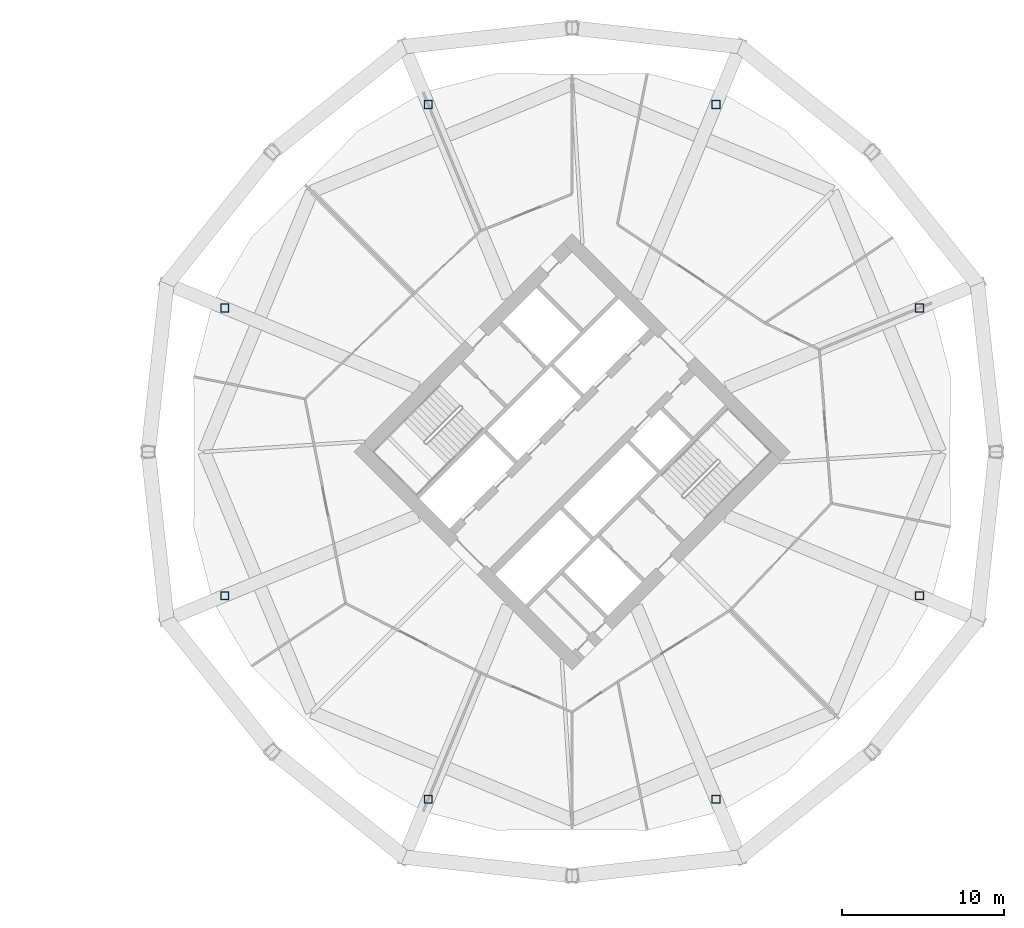
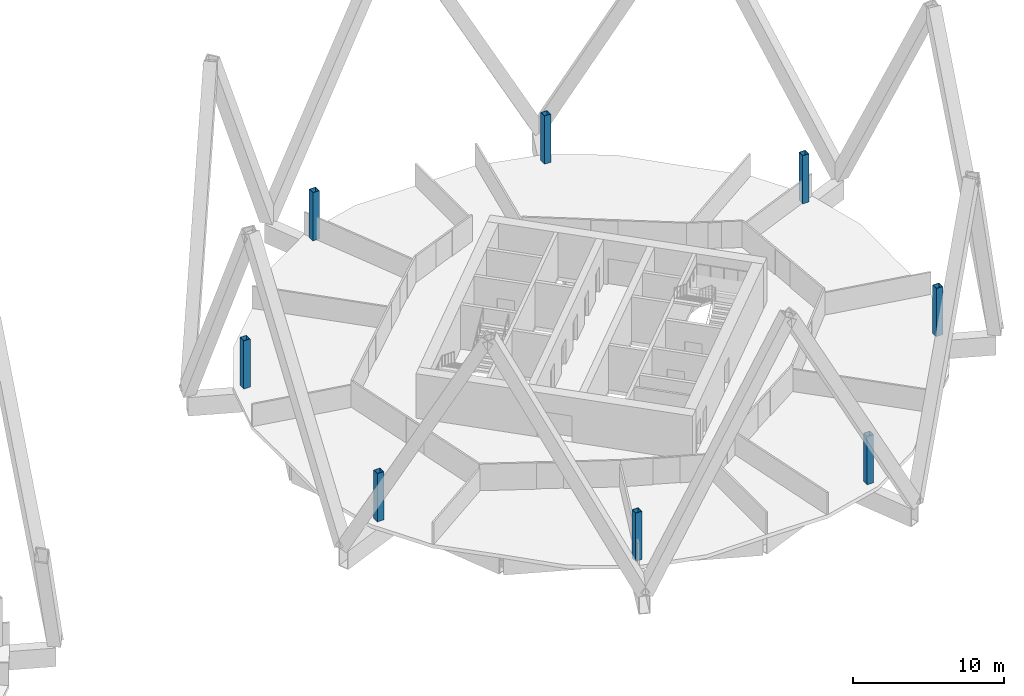
# One storey, part 2 of 9: 8 columns.
"""IFC4 building model written with IfcOpenShell, lengths in metres."""

from ifc_helpers import new_model, si_unit, direction, frame, origin, origin_2d, place, context, subcontext, project, spatial, hollow_rectangle, extrude, material, material_profile, profile_set, type_object, element, save


model = new_model("IFC4")

# Units and contexts
model_context = context("Model", 3, precision=1e-05, world=origin(), true_north=direction((0.0, 1.0)))
body_context = subcontext(model_context, "Body", "Model", "MODEL_VIEW")
ifc_project = project(units=[si_unit("LENGTHUNIT", "METRE"), si_unit("AREAUNIT", "SQUARE_METRE"), si_unit("VOLUMEUNIT", "CUBIC_METRE"), si_unit("PLANEANGLEUNIT", "RADIAN"), si_unit("MASSUNIT", "GRAM", prefix="KILO")], contexts=[model_context])

# Site, building, storey
site_placement = place(None, origin())
site = spatial("IfcSite", under=ifc_project, at=site_placement, CompositionType="ELEMENT")
building_placement = place(site_placement, origin())
building = spatial("IfcBuilding", under=site, at=building_placement, Name="Ogive Gate Towers", CompositionType="ELEMENT")
storey_placement = place(building_placement, frame((0.0, 0.0, 95.699951171875)))
storey = spatial("IfcBuildingStorey", under=building, at=storey_placement, Name="L22", CompositionType="ELEMENT", Elevation=95.699951171875)

# Columns
ifc_material = material(Name="Steel SM460", Category="steel")
ifc_material_profile = material_profile(ifc_material, hollow_rectangle(XDim=0.5, YDim=0.5, WallThickness=0.030029296875, at=origin_2d()), Name="BX 500x500x30")
ifc_profile_set = profile_set([ifc_material_profile], Name="Steel SM460")
column_type = type_object("IfcColumnType", Name="Perimeter post BX 500x500x30", PredefinedType="COLUMN", material=ifc_profile_set)
for number, where, z_axis, x_axis, name in (
    (1, (57.39697265625, 8.863037109375, 0.0), (0.0, 0.0, 1.0), (1.0, 0.0, 0.0), "T2/L22/SCL001"),
    (2, (44.863037109375, 21.39697265625, 0.0), (0.0, 0.0, 1.0), (1.0, 0.0, 0.0), "T2/L22/SCL002"),
    (3, (27.136962890625, 21.39697265625, 0.0), (0.0, 0.0, 1.0), (1.0, 0.0, 0.0), "T2/L22/SCL003"),
    (4, (14.60302734375, 8.863037109375, 0.0), (0.0, 0.0, 1.0), (1.0, 0.0, 0.0), "T2/L22/SCL004"),
    (5, (14.60302734375, -8.863037109375, 0.0), (0.0, 0.0, 1.0), (1.0, 0.0, 0.0), "T2/L22/SCL005"),
    (6, (27.136962890625, -21.39697265625, 0.0), (0.0, 0.0, 1.0), (1.0, 0.0, 0.0), "T2/L22/SCL006"),
    (7, (44.863037109375, -21.39697265625, 0.0), (0.0, 0.0, 1.0), (1.0, 0.0, 0.0), "T2/L22/SCL007"),
    (8, (57.39697265625, -8.863037109375, 0.0), (0.0, 0.0, 1.0), (1.0, 0.0, 0.0), "T2/L22/SCL008"),
):
    element("IfcColumn", number, at=place(storey_placement, frame(where, z_axis=z_axis, x_axis=x_axis)), inside=storey, type_object=column_type, Name=name, PredefinedType="COLUMN", context=body_context, shape_type="SweptSolid", body=[
        extrude(hollow_rectangle(XDim=0.5, YDim=0.5, WallThickness=0.030029296875, at=origin_2d()), origin(), (0.0, 0.0, 1.0), 3.900146484375),
    ])

save(model, "model.ifc")
